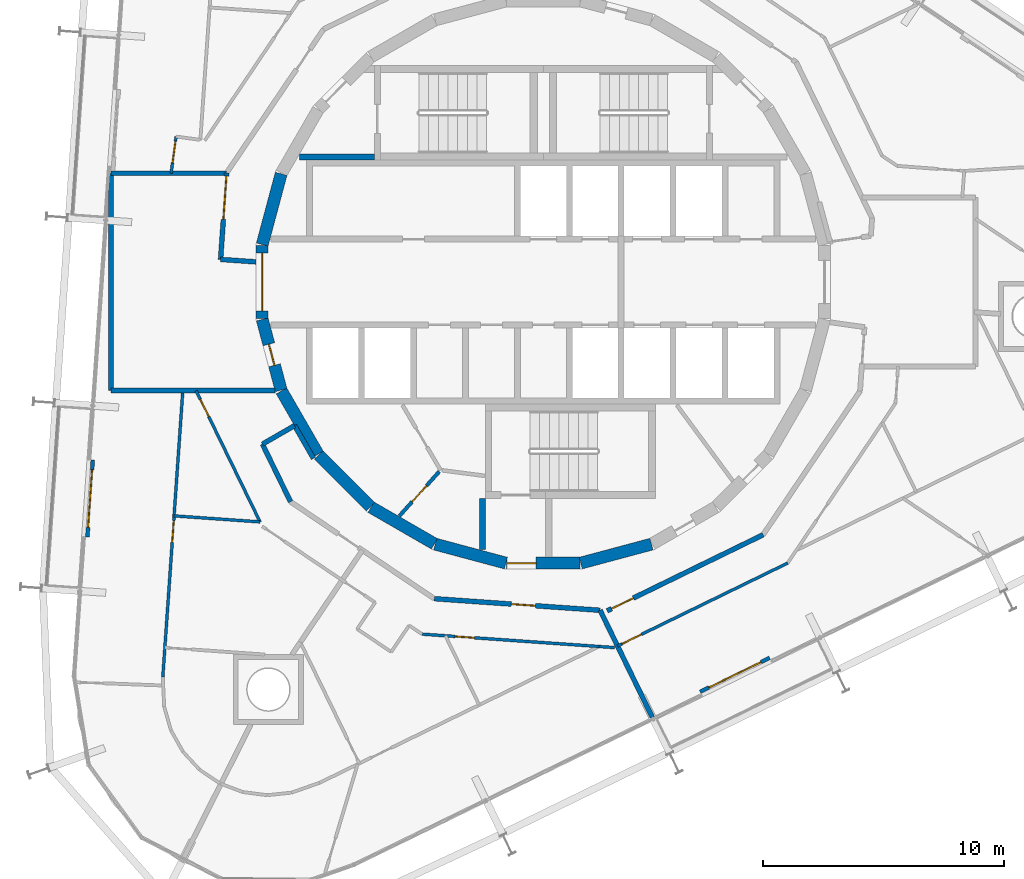
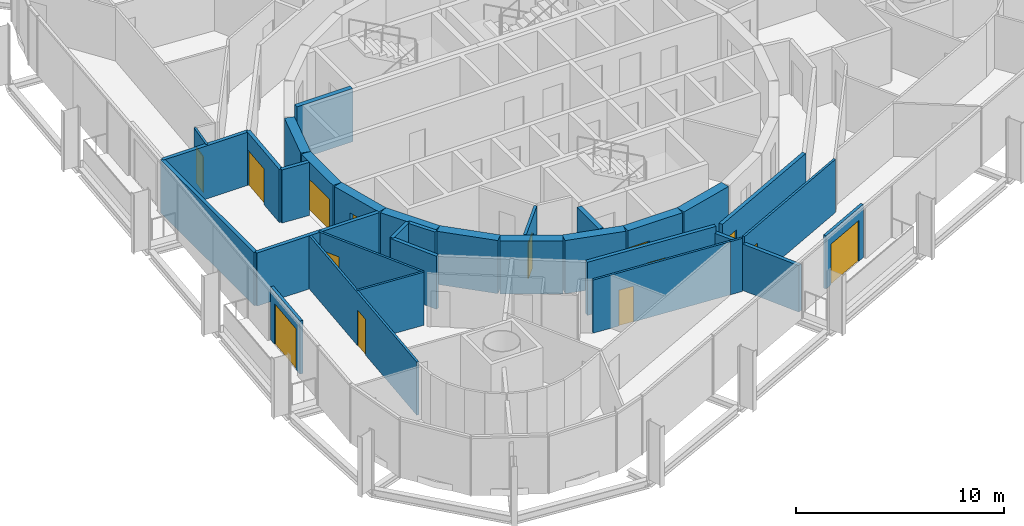
# One storey, part 12 of 18: 32 walls, 14 doors, 14 openings.
"""IFC4 building model written with IfcOpenShell, lengths in metres."""

import ifcopenshell
import ifcopenshell.guid

model = None  # the IFC model being written
_history = None  # IfcOwnerHistory: only IFC2X3 demands one
_inside = {}  # id of a spatial element -> (the spatial element, [elements in it])
_under = {}  # id of a project, library or spatial element -> (it, [spatial elements below it])
_declared = {}  # id of a project -> (the project, [libraries it declares])
_typed = {}  # id of a type object -> (the type object, [elements of that type])
_made_of = {}  # id of a material, layer set ... -> (it, [elements and type objects made of it])


def new_model(schema):
    """Start an empty IFC model of exactly this schema.

    Asked for "IFC4X3", IfcOpenShell would pick the latest addendum, in which some entities
    have other attributes; the version numbers below select the first issue.
    IFC2X3 requires an IfcOwnerHistory on every rooted entity: one is made here for all.
    """
    global model, _history
    if schema == "IFC4X3":
        model = ifcopenshell.file(schema_version=(4, 3, 0, 0))
    else:
        model = ifcopenshell.file(schema=schema)
    _inside.clear()
    _under.clear()
    _declared.clear()
    _typed.clear()
    _made_of.clear()
    _history = None
    if model.schema == "IFC2X3":
        org = make("IfcOrganization", Name="unknown")
        user = make(
            "IfcPersonAndOrganization",
            ThePerson=make("IfcPerson", FamilyName="unknown"),
            TheOrganization=org,
        )
        app = make(
            "IfcApplication",
            ApplicationDeveloper=org,
            Version="unknown",
            ApplicationFullName="unknown",
            ApplicationIdentifier="unknown",
        )
        _history = make(
            "IfcOwnerHistory",
            OwningUser=user,
            OwningApplication=app,
            ChangeAction="ADDED",
            CreationDate=0,
        )
    return model


def make(cls, **values):
    """One entity of the class cls with the attributes given. An attribute that is None is left unset."""
    return model.create_entity(
        cls, **{name: value for name, value in values.items() if value is not None}
    )


def rooted(cls, **values):
    """An entity with a GlobalId (a new one), such as an element, a storey or a relation."""
    return make(cls, GlobalId=ifcopenshell.guid.new(), OwnerHistory=_history, **values)


def si_unit(unit_type, name, prefix=None):
    """IfcSIUnit, for example si_unit("LENGTHUNIT", "METRE", prefix="MILLI")."""
    return make("IfcSIUnit", UnitType=unit_type, Prefix=prefix, Name=name)


def assignment(units):
    """IfcUnitAssignment: the units of a project."""
    return None if units is None else make("IfcUnitAssignment", Units=units)


def point(xyz):
    """IfcCartesianPoint."""
    return None if xyz is None else make("IfcCartesianPoint", Coordinates=xyz)


def direction(xyz):
    """IfcDirection."""
    return None if xyz is None else make("IfcDirection", DirectionRatios=xyz)


def frame(location, z_axis=None, x_axis=None):
    """IfcAxis2Placement3D, a coordinate frame: its origin and axes. An axis left out is left unset."""
    return make(
        "IfcAxis2Placement3D",
        Location=point(location),
        Axis=direction(z_axis),
        RefDirection=direction(x_axis),
    )


def frame_2d(location, x_axis=None):
    """IfcAxis2Placement2D, a coordinate frame in the plane: its origin and x axis."""
    return make(
        "IfcAxis2Placement2D", Location=point(location), RefDirection=direction(x_axis)
    )


def origin():
    """The frame at (0, 0, 0) with its axes left unset."""
    return frame((0.0, 0.0, 0.0))


def place(relative_to, where):
    """IfcLocalPlacement: puts the frame where relative to a parent placement (None: the world)."""
    return make(
        "IfcLocalPlacement", PlacementRelTo=relative_to, RelativePlacement=where
    )


def context(
    kind, dimensions, precision=None, world=None, true_north=None, identifier=None
):
    """IfcGeometricRepresentationContext, for example the 3D "Model" context."""
    return make(
        "IfcGeometricRepresentationContext",
        ContextIdentifier=identifier,
        ContextType=kind,
        CoordinateSpaceDimension=dimensions,
        Precision=precision,
        WorldCoordinateSystem=world,
        TrueNorth=true_north,
    )


def subcontext(parent, identifier, kind, view, scale=None):
    """IfcGeometricRepresentationSubContext, for example "Body" below "Model"."""
    return make(
        "IfcGeometricRepresentationSubContext",
        ContextIdentifier=identifier,
        ContextType=kind,
        ParentContext=parent,
        TargetScale=scale,
        TargetView=view,
    )


def project(units=None, contexts=None):
    """IfcProject with its units and contexts."""
    return rooted(
        "IfcProject",
        Name="project",
        RepresentationContexts=contexts,
        UnitsInContext=assignment(units),
    )


def spatial(cls, under=None, at=None, **own):
    """A site, building, storey or space (cls), placed at a placement, below another one or the project."""
    s = rooted(cls, ObjectPlacement=at, **own)
    if under is not None:
        _under.setdefault(under.id(), (under, []))[1].append(s)
    return s


def profile(cls, at=None, kind="AREA", **sizes):
    """A parametric profile (cls). Its sizes go by their IFC names, for example OverallWidth=200.0."""
    return make(cls, ProfileType=kind, Position=at, **sizes)


def rectangle(**sizes):
    """IfcRectangleProfileDef."""
    return profile("IfcRectangleProfileDef", **sizes)


def extrude(swept, where, along, depth):
    """IfcExtrudedAreaSolid: the profile swept, set in the frame where, extruded along a direction by depth."""
    return make(
        "IfcExtrudedAreaSolid",
        SweptArea=swept,
        Position=where,
        ExtrudedDirection=direction(along),
        Depth=depth,
    )


def shape(context_of_items, identifier, shape_type, items):
    """IfcShapeRepresentation: the items that make up one representation, for example the "Body"."""
    return make(
        "IfcShapeRepresentation",
        ContextOfItems=context_of_items,
        RepresentationIdentifier=identifier,
        RepresentationType=shape_type,
        Items=items,
    )


def material(Name=None, Category=None):
    """IfcMaterial."""
    return make("IfcMaterial", Name=Name, Category=Category)


def layer(
    of_material, thickness, ventilated=None, Name=None, Category=None, Priority=None
):
    """IfcMaterialLayer: one layer of a wall or slab, of a material (None: an air gap)."""
    return make(
        "IfcMaterialLayer",
        Material=of_material,
        LayerThickness=thickness,
        IsVentilated=ventilated,
        Name=Name,
        Category=Category,
        Priority=Priority,
    )


def layer_set(layers, Name=None):
    """IfcMaterialLayerSet."""
    return make("IfcMaterialLayerSet", MaterialLayers=layers, LayerSetName=Name)


def made_of(thing, what):
    """Note that an element or type object is made of a material, layer set ...; save() writes the relation."""
    if what is not None:
        _made_of.setdefault(what.id(), (what, []))[1].append(thing)
    return thing


def type_object(cls, material=None, **own):
    """A type object (cls), such as IfcWallType, which elements share."""
    return made_of(rooted(cls, **own), material)


def element(
    cls,
    number,
    at=None,
    inside=None,
    cuts=None,
    type_object=None,
    material=None,
    context=None,
    identifier="Body",
    shape_type=None,
    held_by="IfcProductDefinitionShape",
    body=None,
    shapes=None,
    **own,
):
    """One element of the class cls, such as IfcWall. Its Tag is "e" and its number.

    at: its placement. inside: the storey or other place that contains it. cuts: it is an
    opening in that element (IfcRelVoidsElement). A single representation is given by context,
    identifier, shape_type and body (its items); several are given by shapes. held_by: the class
    of the entity that holds the representations. save() writes the other relations.
    """
    e = rooted(cls, Tag="e%d" % number, ObjectPlacement=at, **own)
    if body is not None:
        shapes = [shape(context, identifier, shape_type, body)]
    if shapes is not None:
        e.Representation = make(held_by, Representations=shapes)
    if inside is not None:
        _inside.setdefault(inside.id(), (inside, []))[1].append(e)
    if cuts is not None:
        rooted(
            "IfcRelVoidsElement", RelatingBuildingElement=cuts, RelatedOpeningElement=e
        )
    if type_object is not None:
        _typed.setdefault(type_object.id(), (type_object, []))[1].append(e)
    return made_of(e, material)


def fill(opening, filler):
    """IfcRelFillsElement: the door or window that sits in an opening."""
    return rooted(
        "IfcRelFillsElement",
        RelatingOpeningElement=opening,
        RelatedBuildingElement=filler,
    )


def aggregate(whole, parts):
    """IfcRelAggregates: a whole, such as a stair, and the parts it consists of."""
    return rooted("IfcRelAggregates", RelatingObject=whole, RelatedObjects=parts)


def save(model, path):
    """Write the relations noted so far, then the file.

    IfcRelAggregates (storeys below a building ...), IfcRelContainedInSpatialStructure (elements
    in a storey), IfcRelDefinesByType, IfcRelAssociatesMaterial and IfcRelDeclares: one each for
    every whole, place, type object, material and project.
    """
    for whole, parts in _under.values():
        aggregate(whole, parts)
    for where, things in _inside.values():
        rooted(
            "IfcRelContainedInSpatialStructure",
            RelatedElements=things,
            RelatingStructure=where,
        )
    for kind, things in _typed.values():
        rooted("IfcRelDefinesByType", RelatedObjects=things, RelatingType=kind)
    for what, things in _made_of.values():
        rooted("IfcRelAssociatesMaterial", RelatedObjects=things, RelatingMaterial=what)
    for by, libraries in _declared.values():
        rooted("IfcRelDeclares", RelatingContext=by, RelatedDefinitions=libraries)
    model.write(path)


model = new_model("IFC4")

# Units and contexts
model_context = context("Model", 3, precision=1e-05, world=origin(), true_north=direction((0.0, 1.0)))
body_context = subcontext(model_context, "Body", "Model", "MODEL_VIEW")
ifc_project = project(units=[si_unit("LENGTHUNIT", "METRE"), si_unit("AREAUNIT", "SQUARE_METRE"), si_unit("VOLUMEUNIT", "CUBIC_METRE"), si_unit("PLANEANGLEUNIT", "RADIAN"), si_unit("MASSUNIT", "GRAM", prefix="KILO")], contexts=[model_context])

# Site, building, storey
site_placement = place(None, origin())
site = spatial("IfcSite", under=ifc_project, at=site_placement, CompositionType="ELEMENT")
building_placement = place(site_placement, origin())
building = spatial("IfcBuilding", under=site, at=building_placement, Name="Spindle Arch Residences", CompositionType="ELEMENT")
storey_placement = place(building_placement, frame((0.0, 0.0, 205.89990234375)))
storey = spatial("IfcBuildingStorey", under=building, at=storey_placement, Name="L52", CompositionType="ELEMENT", Elevation=205.89990234375)

# Walls
ifc_material_1 = material(Name="Concrete C50/60", Category="concrete")
ifc_layer_1 = layer(ifc_material_1, 0.5)
ifc_layer_set_1 = layer_set([ifc_layer_1], Name="Core outline wall 500")
wall_type_1 = type_object("IfcWallType", Name="Core outline wall 500", PredefinedType="SHEAR", material=ifc_layer_set_1)
for number, where, z_axis, x_axis, name in (
    (1, (1.5498046875, -11.642822265625, 0.0), (0.0, 0.0, 1.0), (0.965948410781, 0.258734743916, 0.0), "Core outline wall 1"),
    (2, (-10.858154296875, 4.479248046875, 0.0), (0.0, 0.0, 1.0), (-0.258734743916, -0.965948410781, 0.0), "Core outline wall 17"),
):
    element("IfcWall", number, at=place(storey_placement, frame(where, z_axis=z_axis, x_axis=x_axis)), inside=storey, type_object=wall_type_1, Name=name, PredefinedType="SHEAR", context=body_context, shape_type="SweptSolid", body=[
        extrude(rectangle(XDim=3.03271484375, YDim=0.5, at=frame_2d((1.516357421875, 0.0))), origin(), (0.0, 0.0, 1.0), 3.1201171875),
    ])

# Wall, opening, door
wall_1_placement = place(storey_placement, frame((-11.647216796875, 1.516357421875, 0.0), z_axis=(0.0, 0.0, 1.0), x_axis=(0.0, -1.0, 0.0)))
wall_1 = element("IfcWall", 3, at=wall_1_placement, inside=storey, type_object=wall_type_1, Name="Core outline wall 18", PredefinedType="SHEAR", context=body_context, shape_type="SweptSolid", body=[
    extrude(rectangle(XDim=3.03271484375, YDim=0.5, at=frame_2d((1.516357421875, 0.0))), origin(), (0.0, 0.0, 1.0), 3.1201171875),
])
opening_1_placement = place(wall_1_placement, frame((0.31640625, 0.0, 0.0)))
opening_1 = element("IfcOpeningElement", 4, at=opening_1_placement, cuts=wall_1, Name="Opening R5B1-LE01", PredefinedType="OPENING", context=body_context, shape_type="SweptSolid", body=[
    extrude(rectangle(XDim=2.39990234375, YDim=2.10009765625, at=frame_2d((1.199951171875, 1.050048828125))), frame((0.0, 0.260009765625, 0.0), z_axis=(0.0, -1.0, 0.0), x_axis=(1.0, 0.0, 0.0)), (0.0, 0.0, 1.0), 0.52001953125),
])
ifc_material_2 = material(Name="Steel, fire-resisting door", Category="steel")
door_type_1 = type_object("IfcDoorType", Name="Lift lobby entrance door 2400x2100", OperationType="DOUBLE_DOOR_SINGLE_SWING", PredefinedType="DOOR", material=ifc_material_2)
door_1_placement = place(opening_1_placement, origin())
door_1 = element("IfcDoor", 5, at=door_1_placement, inside=storey, type_object=door_type_1, Name="Lift lobby entrance door R5B1-LE01", OperationType="DOUBLE_DOOR_SINGLE_SWING", OverallHeight=2.10009765625, OverallWidth=2.39990234375, PredefinedType="DOOR", context=body_context, shape_type="SweptSolid", body=[
    extrude(rectangle(XDim=2.39990234375, YDim=2.10009765625, at=frame_2d((1.199951171875, 1.050048828125))), frame((0.0, 0.02490234375, 0.0), z_axis=(0.0, -1.0, 0.0), x_axis=(1.0, 0.0, 0.0)), (0.0, 0.0, 1.0), 0.050048828125),
])
fill(opening_1, door_1)

wall_2_placement = place(storey_placement, frame((-11.642822265625, -1.5498046875, 0.0), z_axis=(0.0, 0.0, 1.0), x_axis=(0.258734743916, -0.965948410781, 0.0)))
wall_2 = element("IfcWall", 6, at=wall_2_placement, inside=storey, type_object=wall_type_1, Name="Core outline wall 19", PredefinedType="SHEAR", context=body_context, shape_type="SweptSolid", body=[
    extrude(rectangle(XDim=3.03271484375, YDim=0.5, at=frame_2d((1.516357421875, 0.0))), origin(), (0.0, 0.0, 1.0), 3.1201171875),
])
opening_2_placement = place(wall_2_placement, frame((1.06640625, 0.0, 0.0)))
opening_2 = element("IfcOpeningElement", 7, at=opening_2_placement, cuts=wall_2, Name="Opening R5B1-WD10", PredefinedType="OPENING", context=body_context, shape_type="SweptSolid", body=[
    extrude(rectangle(XDim=0.89990234375, YDim=2.10009765625, at=frame_2d((0.449951171875, 1.050048828125))), frame((0.0, 0.260009765625, 0.0), z_axis=(0.0, -1.0, 0.0), x_axis=(1.0, 0.0, 0.0)), (0.0, 0.0, 1.0), 0.52001953125),
])
ifc_material_3 = material(Name="Steel, fire-resisting door", Category="steel")
door_type_2 = type_object("IfcDoorType", Name="Service room door 900x2100", OperationType="SINGLE_SWING_LEFT", PredefinedType="DOOR", material=ifc_material_3)
door_2_placement = place(opening_2_placement, origin())
door_2 = element("IfcDoor", 8, at=door_2_placement, inside=storey, type_object=door_type_2, Name="Service room door R5B1-WD10", OperationType="SINGLE_SWING_RIGHT", OverallHeight=2.10009765625, OverallWidth=0.89990234375, PredefinedType="DOOR", context=body_context, shape_type="SweptSolid", body=[
    extrude(rectangle(XDim=0.89990234375, YDim=2.10009765625, at=frame_2d((0.449951171875, 1.050048828125))), frame((0.0, 0.02490234375, 0.0), z_axis=(0.0, -1.0, 0.0), x_axis=(1.0, 0.0, 0.0)), (0.0, 0.0, 1.0), 0.050048828125),
])
fill(opening_2, door_2)

# Walls
wall_3_placement = place(storey_placement, frame((-10.84521484375, -4.510498046875, 0.0), z_axis=(0.0, 0.0, 1.0), x_axis=(0.500087131594, -0.865975092491, 0.0)))
element("IfcWall", 9, at=wall_3_placement, inside=storey, type_object=wall_type_1, Name="Core outline wall 20", PredefinedType="SHEAR", context=body_context, shape_type="SweptSolid", body=[
    extrude(rectangle(XDim=3.03271484375, YDim=0.5, at=frame_2d((1.516357421875, 0.0))), origin(), (0.0, 0.0, 1.0), 3.1201171875),
])
wall_4_placement = place(storey_placement, frame((-9.30810546875, -7.163818359375, 0.0), z_axis=(0.0, 0.0, 1.0), x_axis=(0.707106781187, -0.707106781187, 0.0)))
element("IfcWall", 10, at=wall_4_placement, inside=storey, type_object=wall_type_1, Name="Core outline wall 21", PredefinedType="SHEAR", context=body_context, shape_type="SweptSolid", body=[
    extrude(rectangle(XDim=3.032470703125, YDim=0.5, at=frame_2d((1.51611328125, 0.0))), origin(), (0.0, 0.0, 1.0), 3.1201171875),
])
for number, where, z_axis, x_axis, name in (
    (11, (-7.13671875, -9.32861328125, 0.0), (0.0, 0.0, 1.0), (0.865975092491, -0.500087131594, 0.0), "Core outline wall 22"),
    (12, (-4.479248046875, -10.858154296875, 0.0), (0.0, 0.0, 1.0), (0.965948410781, -0.258734743916, 0.0), "Core outline wall 23"),
):
    element("IfcWall", number, at=place(storey_placement, frame(where, z_axis=z_axis, x_axis=x_axis)), inside=storey, type_object=wall_type_1, Name=name, PredefinedType="SHEAR", context=body_context, shape_type="SweptSolid", body=[
        extrude(rectangle(XDim=3.03271484375, YDim=0.5, at=frame_2d((1.516357421875, 0.0))), origin(), (0.0, 0.0, 1.0), 3.1201171875),
    ])

# Wall, opening, door
wall_5_placement = place(storey_placement, frame((-1.516357421875, -11.647216796875, 0.0), z_axis=(0.0, 0.0, 1.0), x_axis=(1.0, 0.0, 0.0)))
wall_5 = element("IfcWall", 13, at=wall_5_placement, inside=storey, type_object=wall_type_1, Name="Core outline wall 24", PredefinedType="SHEAR", context=body_context, shape_type="SweptSolid", body=[
    extrude(rectangle(XDim=3.03271484375, YDim=0.5, at=frame_2d((1.516357421875, 0.0))), origin(), (0.0, 0.0, 1.0), 3.1201171875),
])
opening_3_placement = place(wall_5_placement, frame((0.016357421875, 0.0, 0.0)))
opening_3 = element("IfcOpeningElement", 14, at=opening_3_placement, cuts=wall_5, Name="Opening R5B1-AD03", PredefinedType="OPENING", context=body_context, shape_type="SweptSolid", body=[
    extrude(rectangle(XDim=1.199951171875, YDim=2.10009765625, at=frame_2d((0.60009765625, 1.050048828125))), frame((0.0, 0.260009765625, 0.0), z_axis=(0.0, -1.0, 0.0), x_axis=(1.0, 0.0, 0.0)), (0.0, 0.0, 1.0), 0.52001953125),
])
ifc_material_4 = material(Name="Steel, fire-resisting door", Category="steel")
door_type_3 = type_object("IfcDoorType", Name="Stair airlock door 1200x2100", OperationType="SINGLE_SWING_LEFT", PredefinedType="DOOR", material=ifc_material_4)
door_3_placement = place(opening_3_placement, origin())
door_3 = element("IfcDoor", 15, at=door_3_placement, inside=storey, type_object=door_type_3, Name="Stair airlock door R5B1-AD03", OperationType="SINGLE_SWING_RIGHT", OverallHeight=2.10009765625, OverallWidth=1.199951171875, PredefinedType="DOOR", context=body_context, shape_type="SweptSolid", body=[
    extrude(rectangle(XDim=1.199951171875, YDim=2.10009765625, at=frame_2d((0.60009765625, 1.050048828125))), frame((0.0, 0.02490234375, 0.0), z_axis=(0.0, -1.0, 0.0), x_axis=(1.0, 0.0, 0.0)), (0.0, 0.0, 1.0), 0.050048828125),
])
fill(opening_3, door_3)

# Walls
ifc_material_5 = material(Name="Calcium silicate block, plastered")
ifc_layer_2 = layer(ifc_material_5, 0.199951171875)
ifc_layer_set_2 = layer_set([ifc_layer_2], Name="Corridor wall 200")
wall_type_2 = type_object("IfcWallType", Name="Corridor wall 200", PredefinedType="STANDARD", material=ifc_layer_set_2)
wall_6_placement = place(storey_placement, frame((-10.303466796875, -5.94873046875, 0.0), z_axis=(0.0, 0.0, 1.0), x_axis=(-0.866042588199, -0.499970234539, 0.0)))
element("IfcWall", 16, at=wall_6_placement, inside=storey, type_object=wall_type_2, Name="Corridor wall R5B1-W015", PredefinedType="STANDARD", context=body_context, shape_type="SweptSolid", body=[
    extrude(rectangle(XDim=1.53515625, YDim=0.199951171875, at=frame_2d((0.767578125, 0.0))), origin(), (0.0, 0.0, 1.0), 3.1201171875),
])
wall_7_placement = place(storey_placement, frame((-11.633056640625, -6.71630859375, 0.0), z_axis=(0.0, 0.0, 1.0), x_axis=(0.438322116278, -0.898817958422, 0.0)))
element("IfcWall", 17, at=wall_7_placement, inside=storey, type_object=wall_type_2, Name="Corridor wall R5B1-W016", PredefinedType="STANDARD", context=body_context, shape_type="SweptSolid", body=[
    extrude(rectangle(XDim=2.653564453125, YDim=0.199951171875, at=frame_2d((1.32666015625, 0.0))), origin(), (0.0, 0.0, 1.0), 3.1201171875),
])
wall_8_placement = place(storey_placement, frame((-9.520263671875, -7.30517578125, 0.0), z_axis=(0.0, 0.0, 1.0), x_axis=(-0.500028278809, 0.866009076391, 0.0)))
element("IfcWall", 18, at=wall_8_placement, inside=storey, type_object=wall_type_2, Name="Corridor wall R5B1-W018", PredefinedType="STANDARD", context=body_context, shape_type="SweptSolid", body=[
    extrude(rectangle(XDim=1.56640625, YDim=0.199951171875, at=frame_2d((0.783203125, 0.0))), origin(), (0.0, 0.0, 1.0), 3.1201171875),
])

# Wall, opening, door
wall_9_placement = place(storey_placement, frame((-4.5166015625, -13.116943359375, 0.0), z_axis=(0.0, 0.0, 1.0), x_axis=(0.997564669554, -0.069747616856, 0.0)))
wall_9 = element("IfcWall", 19, at=wall_9_placement, inside=storey, type_object=wall_type_2, Name="Corridor wall R5B1-W019", PredefinedType="STANDARD", context=body_context, shape_type="SweptSolid", body=[
    extrude(rectangle(XDim=6.88525390625, YDim=0.199951171875, at=frame_2d((3.442626953125, 0.0))), origin(), (0.0, 0.0, 1.0), 3.1201171875),
])
opening_4_placement = place(wall_9_placement, frame((3.199951171875, 0.0, 0.0)))
opening_4 = element("IfcOpeningElement", 20, at=opening_4_placement, cuts=wall_9, Name="Opening R5B1-FD05", PredefinedType="OPENING", context=body_context, shape_type="SweptSolid", body=[
    extrude(rectangle(XDim=1.0, YDim=2.10009765625, at=frame_2d((0.5, 1.050048828125))), frame((0.0, 0.10986328125, 0.0), z_axis=(0.0, -1.0, 0.0), x_axis=(1.0, 0.0, 0.0)), (0.0, 0.0, 1.0), 0.219970703125),
])
ifc_material_6 = material(Name="Timber, fire-resisting door set", Category="wood")
door_type_4 = type_object("IfcDoorType", Name="Flat entrance door 1000x2100", OperationType="NOTDEFINED", PredefinedType="DOOR", material=ifc_material_6)
door_4_placement = place(opening_4_placement, origin())
door_4 = element("IfcDoor", 21, at=door_4_placement, inside=storey, type_object=door_type_4, Name="Flat entrance door R5B1-FD05", OperationType="SINGLE_SWING_LEFT", OverallHeight=2.10009765625, OverallWidth=1.0, PredefinedType="DOOR", context=body_context, shape_type="SweptSolid", body=[
    extrude(rectangle(XDim=1.0, YDim=2.10009765625, at=frame_2d((0.5, 1.050048828125))), frame((0.0, 0.02490234375, 0.0), z_axis=(0.0, -1.0, 0.0), x_axis=(1.0, 0.0, 0.0)), (0.0, 0.0, 1.0), 0.050048828125),
])
fill(opening_4, door_4)

wall_10_placement = place(storey_placement, frame((2.64697265625, -13.617919921875, 0.0), z_axis=(0.0, 0.0, 1.0), x_axis=(0.898796543751, 0.438366026218, 0.0)))
wall_10 = element("IfcWall", 22, at=wall_10_placement, inside=storey, type_object=wall_type_2, Name="Corridor wall R5B1-W020", PredefinedType="STANDARD", context=body_context, shape_type="SweptSolid", body=[
    extrude(rectangle(XDim=7.18115234375, YDim=0.199951171875, at=frame_2d((3.590576171875, 0.0))), origin(), (0.0, 0.0, 1.0), 3.1201171875),
])
opening_5_placement = place(wall_10_placement, frame((0.199951171875, 0.0, 0.0)))
opening_5 = element("IfcOpeningElement", 23, at=opening_5_placement, cuts=wall_10, Name="Opening R5B1-FD06", PredefinedType="OPENING", context=body_context, shape_type="SweptSolid", body=[
    extrude(rectangle(XDim=1.0, YDim=2.10009765625, at=frame_2d((0.5, 1.050048828125))), frame((0.0, 0.10986328125, 0.0), z_axis=(0.0, -1.0, 0.0), x_axis=(1.0, 0.0, 0.0)), (0.0, 0.0, 1.0), 0.219970703125),
])
door_5_placement = place(opening_5_placement, origin())
door_5 = element("IfcDoor", 24, at=door_5_placement, inside=storey, type_object=door_type_4, Name="Flat entrance door R5B1-FD06", OperationType="SINGLE_SWING_LEFT", OverallHeight=2.10009765625, OverallWidth=1.0, PredefinedType="DOOR", context=body_context, shape_type="SweptSolid", body=[
    extrude(rectangle(XDim=1.0, YDim=2.10009765625, at=frame_2d((0.5, 1.050048828125))), frame((0.0, 0.02490234375, 0.0), z_axis=(0.0, -1.0, 0.0), x_axis=(1.0, 0.0, 0.0)), (0.0, 0.0, 1.0), 0.050048828125),
])
fill(opening_5, door_5)

ifc_material_7 = material(Name="Plasterboard on steel studs", Category="steel")
ifc_layer_3 = layer(ifc_material_7, 0.1201171875)
ifc_layer_set_3 = layer_set([ifc_layer_3], Name="Flat partition 120")
wall_type_3 = type_object("IfcWallType", Name="Flat partition 120", PredefinedType="PARTITIONING", material=ifc_layer_set_3)
wall_11_placement = place(storey_placement, frame((-15.20947265625, 6.022216796875, 0.0), z_axis=(0.0, 0.0, 1.0), x_axis=(-0.134453604943, -0.990919889859, 0.0)))
wall_11 = element("IfcWall", 25, at=wall_11_placement, inside=storey, type_object=wall_type_3, Name="Flat partition R5B1-W066", PredefinedType="PARTITIONING", context=body_context, shape_type="SweptSolid", body=[
    extrude(rectangle(XDim=1.5361328125, YDim=0.1201171875, at=frame_2d((0.76806640625, 0.0))), origin(), (0.0, 0.0, 1.0), 3.1201171875),
])
opening_6_placement = place(wall_11_placement, frame((0.199951171875, 0.0, 0.0)))
opening_6 = element("IfcOpeningElement", 26, at=opening_6_placement, cuts=wall_11, Name="Opening R5B1-ID11", PredefinedType="OPENING", context=body_context, shape_type="SweptSolid", body=[
    extrude(rectangle(XDim=0.89990234375, YDim=2.10009765625, at=frame_2d((0.449951171875, 1.050048828125))), frame((0.0, 0.070068359375, 0.0), z_axis=(0.0, -1.0, 0.0), x_axis=(1.0, 0.0, 0.0)), (0.0, 0.0, 1.0), 0.14013671875),
])
ifc_material_8 = material(Name="Timber door set", Category="wood")
door_type_5 = type_object("IfcDoorType", Name="Room door 900x2100", OperationType="NOTDEFINED", PredefinedType="DOOR", material=ifc_material_8)
door_6_placement = place(opening_6_placement, origin())
door_6 = element("IfcDoor", 27, at=door_6_placement, inside=storey, type_object=door_type_5, Name="Room door R5B1-ID11", OperationType="SINGLE_SWING_LEFT", OverallHeight=2.10009765625, OverallWidth=0.89990234375, PredefinedType="DOOR", context=body_context, shape_type="SweptSolid", body=[
    extrude(rectangle(XDim=0.89990234375, YDim=2.10009765625, at=frame_2d((0.449951171875, 1.050048828125))), frame((0.0, 0.02490234375, 0.0), z_axis=(0.0, -1.0, 0.0), x_axis=(1.0, 0.0, 0.0)), (0.0, 0.0, 1.0), 0.050048828125),
])
fill(opening_6, door_6)

wall_12_placement = place(storey_placement, frame((-14.383056640625, -4.5, 0.0), z_axis=(0.0, 0.0, 1.0), x_axis=(0.438393414895, -0.898783185077, 0.0)))
wall_12 = element("IfcWall", 28, at=wall_12_placement, inside=storey, type_object=wall_type_3, Name="Flat partition R5B1-W076", PredefinedType="PARTITIONING", context=body_context, shape_type="SweptSolid", body=[
    extrude(rectangle(XDim=6.049072265625, YDim=0.1201171875, at=frame_2d((3.0244140625, 0.0))), origin(), (0.0, 0.0, 1.0), 3.1201171875),
])
opening_7_placement = place(wall_12_placement, frame((0.39990234375, 0.0, 0.0)))
opening_7 = element("IfcOpeningElement", 29, at=opening_7_placement, cuts=wall_12, Name="Opening R5B1-BD04", PredefinedType="OPENING", context=body_context, shape_type="SweptSolid", body=[
    extrude(rectangle(XDim=0.800048828125, YDim=2.10009765625, at=frame_2d((0.39990234375, 1.050048828125))), frame((0.0, 0.070068359375, 0.0), z_axis=(0.0, -1.0, 0.0), x_axis=(1.0, 0.0, 0.0)), (0.0, 0.0, 1.0), 0.14013671875),
])
ifc_material_9 = material(Name="Timber door set", Category="wood")
door_type_6 = type_object("IfcDoorType", Name="Bathroom door 800x2100", OperationType="NOTDEFINED", PredefinedType="DOOR", material=ifc_material_9)
door_7_placement = place(opening_7_placement, origin())
door_7 = element("IfcDoor", 30, at=door_7_placement, inside=storey, type_object=door_type_6, Name="Bathroom door R5B1-BD04", OperationType="SINGLE_SWING_RIGHT", OverallHeight=2.10009765625, OverallWidth=0.800048828125, PredefinedType="DOOR", context=body_context, shape_type="SweptSolid", body=[
    extrude(rectangle(XDim=0.800048828125, YDim=2.10009765625, at=frame_2d((0.39990234375, 1.050048828125))), frame((0.0, 0.02490234375, 0.0), z_axis=(0.0, -1.0, 0.0), x_axis=(1.0, 0.0, 0.0)), (0.0, 0.0, 1.0), 0.050048828125),
])
fill(opening_7, door_7)

wall_13_placement = place(storey_placement, frame((-14.930908203125, -4.5, 0.0), z_axis=(0.0, 0.0, 1.0), x_axis=(-0.069751708439, -0.997564383471, 0.0)))
wall_13 = element("IfcWall", 31, at=wall_13_placement, inside=storey, type_object=wall_type_3, Name="Flat partition R5B1-W078", PredefinedType="PARTITIONING", context=body_context, shape_type="SweptSolid", body=[
    extrude(rectangle(XDim=11.8935546875, YDim=0.1201171875, at=frame_2d((5.94677734375, 0.0))), origin(), (0.0, 0.0, 1.0), 3.1201171875),
])
opening_8_placement = place(wall_13_placement, frame((5.400390625, 0.0, 0.0)))
opening_8 = element("IfcOpeningElement", 32, at=opening_8_placement, cuts=wall_13, Name="Opening R5B1-ID15", PredefinedType="OPENING", context=body_context, shape_type="SweptSolid", body=[
    extrude(rectangle(XDim=0.89990234375, YDim=2.10009765625, at=frame_2d((0.449951171875, 1.050048828125))), frame((0.0, 0.070068359375, 0.0), z_axis=(0.0, -1.0, 0.0), x_axis=(1.0, 0.0, 0.0)), (0.0, 0.0, 1.0), 0.14013671875),
])
door_8_placement = place(opening_8_placement, origin())
door_8 = element("IfcDoor", 33, at=door_8_placement, inside=storey, type_object=door_type_5, Name="Room door R5B1-ID15", OperationType="SINGLE_SWING_RIGHT", OverallHeight=2.10009765625, OverallWidth=0.89990234375, PredefinedType="DOOR", context=body_context, shape_type="SweptSolid", body=[
    extrude(rectangle(XDim=0.89990234375, YDim=2.10009765625, at=frame_2d((0.449951171875, 1.050048828125))), frame((0.0, 0.02490234375, 0.0), z_axis=(0.0, -1.0, 0.0), x_axis=(1.0, 0.0, 0.0)), (0.0, 0.0, 1.0), 0.050048828125),
])
fill(opening_8, door_8)

# Wall
wall_14_placement = place(storey_placement, frame((-15.293701171875, -9.687744140625, 0.0), z_axis=(0.0, 0.0, 1.0), x_axis=(0.997565819809, -0.069731163391, 0.0)))
element("IfcWall", 34, at=wall_14_placement, inside=storey, type_object=wall_type_3, Name="Flat partition R5B1-W079", PredefinedType="PARTITIONING", context=body_context, shape_type="SweptSolid", body=[
    extrude(rectangle(XDim=3.5712890625, YDim=0.1201171875, at=frame_2d((1.78564453125, 0.0))), origin(), (0.0, 0.0, 1.0), 3.1201171875),
])

# Wall, opening, door
wall_15_placement = place(storey_placement, frame((-5.022216796875, -14.585205078125, 0.0), z_axis=(0.0, 0.0, 1.0), x_axis=(0.997564196041, -0.06975438895, 0.0)))
wall_15 = element("IfcWall", 35, at=wall_15_placement, inside=storey, type_object=wall_type_3, Name="Flat partition R5B1-W091", PredefinedType="PARTITIONING", context=body_context, shape_type="SweptSolid", body=[
    extrude(rectangle(XDim=7.346435546875, YDim=0.1201171875, at=frame_2d((3.67333984375, 0.0))), origin(), (0.0, 0.0, 1.0), 3.1201171875),
])
opening_9_placement = place(wall_15_placement, frame((1.370361328125, 0.0, 0.0)))
opening_9 = element("IfcOpeningElement", 36, at=opening_9_placement, cuts=wall_15, Name="Opening R5B1-BD05", PredefinedType="OPENING", context=body_context, shape_type="SweptSolid", body=[
    extrude(rectangle(XDim=0.800048828125, YDim=2.10009765625, at=frame_2d((0.39990234375, 1.050048828125))), frame((0.0, 0.070068359375, 0.0), z_axis=(0.0, -1.0, 0.0), x_axis=(1.0, 0.0, 0.0)), (0.0, 0.0, 1.0), 0.14013671875),
])
door_9_placement = place(opening_9_placement, origin())
door_9 = element("IfcDoor", 37, at=door_9_placement, inside=storey, type_object=door_type_6, Name="Bathroom door R5B1-BD05", OperationType="SINGLE_SWING_LEFT", OverallHeight=2.10009765625, OverallWidth=0.800048828125, PredefinedType="DOOR", context=body_context, shape_type="SweptSolid", body=[
    extrude(rectangle(XDim=0.800048828125, YDim=2.10009765625, at=frame_2d((0.39990234375, 1.050048828125))), frame((0.0, 0.02490234375, 0.0), z_axis=(0.0, -1.0, 0.0), x_axis=(1.0, 0.0, 0.0)), (0.0, 0.0, 1.0), 0.050048828125),
])
fill(opening_9, door_9)

# Wall
wall_16_placement = place(storey_placement, frame((2.306396484375, -15.09765625, 0.0), z_axis=(0.0, 0.0, 1.0), x_axis=(0.99757571817, -0.069589413839, 0.0)))
element("IfcWall", 38, at=wall_16_placement, inside=storey, type_object=wall_type_3, Name="Flat partition R5B1-W092", PredefinedType="PARTITIONING", context=body_context, shape_type="SweptSolid", body=[
    extrude(rectangle(XDim=0.638427734375, YDim=0.1201171875, at=frame_2d((0.3193359375, 0.0))), origin(), (0.0, 0.0, 1.0), 3.1201171875),
])

# Wall, opening, door
wall_17_placement = place(storey_placement, frame((3.07421875, -15.078369140625, 0.0), z_axis=(0.0, 0.0, 1.0), x_axis=(0.898793586225, 0.43837209008, 0.0)))
wall_17 = element("IfcWall", 39, at=wall_17_placement, inside=storey, type_object=wall_type_3, Name="Flat partition R5B1-W101", PredefinedType="PARTITIONING", context=body_context, shape_type="SweptSolid", body=[
    extrude(rectangle(XDim=7.83935546875, YDim=0.1201171875, at=frame_2d((3.919677734375, 0.0))), origin(), (0.0, 0.0, 1.0), 3.1201171875),
])
opening_10_placement = place(wall_17_placement, frame((0.199951171875, 0.0, 0.0)))
opening_10 = element("IfcOpeningElement", 40, at=opening_10_placement, cuts=wall_17, Name="Opening R5B1-ID22", PredefinedType="OPENING", context=body_context, shape_type="SweptSolid", body=[
    extrude(rectangle(XDim=0.89990234375, YDim=2.10009765625, at=frame_2d((0.449951171875, 1.050048828125))), frame((0.0, 0.070068359375, 0.0), z_axis=(0.0, -1.0, 0.0), x_axis=(1.0, 0.0, 0.0)), (0.0, 0.0, 1.0), 0.14013671875),
])
door_10_placement = place(opening_10_placement, origin())
door_10 = element("IfcDoor", 41, at=door_10_placement, inside=storey, type_object=door_type_5, Name="Room door R5B1-ID22", OperationType="SINGLE_SWING_LEFT", OverallHeight=2.10009765625, OverallWidth=0.89990234375, PredefinedType="DOOR", context=body_context, shape_type="SweptSolid", body=[
    extrude(rectangle(XDim=0.89990234375, YDim=2.10009765625, at=frame_2d((0.449951171875, 1.050048828125))), frame((0.0, 0.02490234375, 0.0), z_axis=(0.0, -1.0, 0.0), x_axis=(1.0, 0.0, 0.0)), (0.0, 0.0, 1.0), 0.050048828125),
])
fill(opening_10, door_10)

# Wall
ifc_material_10 = material(Name="Calcium silicate block, plastered")
ifc_layer_4 = layer(ifc_material_10, 0.199951171875)
ifc_layer_set_4 = layer_set([ifc_layer_4], Name="Flat party wall 200 under beam 2730")
wall_type_4 = type_object("IfcWallType", Name="Flat party wall 200 under beam 2730", PredefinedType="STANDARD", material=ifc_layer_set_4)
wall_18_placement = place(storey_placement, frame((4.512451171875, -18.027099609375, 0.0), z_axis=(0.0, 0.0, 1.0), x_axis=(-0.438374835386, 0.898792247241, 0.0)))
element("IfcWall", 42, at=wall_18_placement, inside=storey, type_object=wall_type_4, Name="Flat party wall R5B1-W037", PredefinedType="STANDARD", context=body_context, shape_type="SweptSolid", body=[
    extrude(rectangle(XDim=4.9287109375, YDim=0.199951171875, at=frame_2d((2.46435546875, 0.0))), origin(), (0.0, 0.0, 1.0), 2.72998046875),
])

# Wall, opening, door
ifc_material_11 = material(Name="Non-combustible mineral wool insulated aluminium faced external wall (K0)", Category="aluminium")
ifc_layer_5 = layer(ifc_material_11, 0.159912109375)
ifc_layer_set_5 = layer_set([ifc_layer_5], Name="Insulated external wall panel 160")
wall_type_5 = type_object("IfcWallType", Name="Insulated external wall panel 160", PredefinedType="STANDARD", material=ifc_layer_set_5)
wall_19_placement = place(storey_placement, frame((-18.66064453125, -7.37451171875, 0.0), z_axis=(0.0, 0.0, 1.0), x_axis=(-0.069734222855, -0.997565605944, 0.0)))
wall_19 = element("IfcWall", 43, at=wall_19_placement, inside=storey, type_object=wall_type_5, Name="External wall L52 bay 16", PredefinedType="STANDARD", context=body_context, shape_type="SweptSolid", body=[
    extrude(rectangle(XDim=3.199951171875, YDim=0.159912109375, at=frame_2d((1.60009765625, 0.0))), origin(), (0.0, 0.0, 1.0), 3.1201171875),
])
opening_11_placement = place(wall_19_placement, frame((0.39990234375, 0.0, 0.0)))
opening_11 = element("IfcOpeningElement", 44, at=opening_11_placement, cuts=wall_19, Name="Opening BD16", PredefinedType="OPENING", context=body_context, shape_type="SweptSolid", body=[
    extrude(rectangle(XDim=2.39990234375, YDim=2.39990234375, at=frame_2d((1.199951171875, 1.199951171875))), frame((0.0, 0.08984375, 0.0), z_axis=(0.0, -1.0, 0.0), x_axis=(1.0, 0.0, 0.0)), (0.0, 0.0, 1.0), 0.179931640625),
])
ifc_material_12 = material(Name="Bronze aluminium frame, tinted double glazing", Category="aluminium")
door_type_7 = type_object("IfcDoorType", Name="Sliding glazed balcony door 2400x2400", OperationType="DOUBLE_DOOR_SLIDING", PredefinedType="DOOR", material=ifc_material_12)
door_11_placement = place(opening_11_placement, origin())
door_11 = element("IfcDoor", 45, at=door_11_placement, inside=storey, type_object=door_type_7, Name="Balcony door BD16", OperationType="DOUBLE_DOOR_SLIDING", OverallHeight=2.39990234375, OverallWidth=2.39990234375, PredefinedType="DOOR", context=body_context, shape_type="SweptSolid", body=[
    extrude(rectangle(XDim=2.39990234375, YDim=2.39990234375, at=frame_2d((1.199951171875, 1.199951171875))), frame((0.0, 0.02490234375, 0.0), z_axis=(0.0, -1.0, 0.0), x_axis=(1.0, 0.0, 0.0)), (0.0, 0.0, 1.0), 0.050048828125),
])
fill(opening_11, door_11)

wall_20_placement = place(storey_placement, frame((6.496826171875, -16.97021484375, 0.0), z_axis=(0.0, 0.0, 1.0), x_axis=(0.898778711213, 0.43840258698, 0.0)))
wall_20 = element("IfcWall", 46, at=wall_20_placement, inside=storey, type_object=wall_type_5, Name="External wall L52 bay 22", PredefinedType="STANDARD", context=body_context, shape_type="SweptSolid", body=[
    extrude(rectangle(XDim=3.199951171875, YDim=0.159912109375, at=frame_2d((1.60009765625, 0.0))), origin(), (0.0, 0.0, 1.0), 3.1201171875),
])
opening_12_placement = place(wall_20_placement, frame((0.39990234375, 0.0, 0.0)))
opening_12 = element("IfcOpeningElement", 47, at=opening_12_placement, cuts=wall_20, Name="Opening BD22", PredefinedType="OPENING", context=body_context, shape_type="SweptSolid", body=[
    extrude(rectangle(XDim=2.39990234375, YDim=2.39990234375, at=frame_2d((1.199951171875, 1.199951171875))), frame((0.0, 0.08984375, 0.0), z_axis=(0.0, -1.0, 0.0), x_axis=(1.0, 0.0, 0.0)), (0.0, 0.0, 1.0), 0.179931640625),
])
door_12_placement = place(opening_12_placement, origin())
door_12 = element("IfcDoor", 48, at=door_12_placement, inside=storey, type_object=door_type_7, Name="Balcony door BD22", OperationType="DOUBLE_DOOR_SLIDING", OverallHeight=2.39990234375, OverallWidth=2.39990234375, PredefinedType="DOOR", context=body_context, shape_type="SweptSolid", body=[
    extrude(rectangle(XDim=2.39990234375, YDim=2.39990234375, at=frame_2d((1.199951171875, 1.199951171875))), frame((0.0, 0.02490234375, 0.0), z_axis=(0.0, -1.0, 0.0), x_axis=(1.0, 0.0, 0.0)), (0.0, 0.0, 1.0), 0.050048828125),
])
fill(opening_12, door_12)

ifc_material_13 = material(Name="Calcium silicate block, plastered")
ifc_layer_6 = layer(ifc_material_13, 0.199951171875)
ifc_layer_set_6 = layer_set([ifc_layer_6], Name="Lift lobby bay wall 200")
wall_type_6 = type_object("IfcWallType", Name="Lift lobby bay wall 200", PredefinedType="STANDARD", material=ifc_layer_set_6)
wall_21_placement = place(storey_placement, frame((-13.116943359375, 4.5166015625, 0.0), z_axis=(0.0, 0.0, 1.0), x_axis=(-0.069763493417, -0.997563559372, 0.0)))
wall_21 = element("IfcWall", 49, at=wall_21_placement, inside=storey, type_object=wall_type_6, Name="Lift lobby bay wall R5B1-W008", PredefinedType="STANDARD", context=body_context, shape_type="SweptSolid", body=[
    extrude(rectangle(XDim=3.590576171875, YDim=0.199951171875, at=frame_2d((1.79541015625, 0.0))), origin(), (0.0, 0.0, 1.0), 3.1201171875),
])
opening_13_placement = place(wall_21_placement, frame((0.131591796875, 0.0, 0.0)))
opening_13 = element("IfcOpeningElement", 50, at=opening_13_placement, cuts=wall_21, Name="Opening R5B1-LB01", PredefinedType="OPENING", context=body_context, shape_type="SweptSolid", body=[
    extrude(rectangle(XDim=1.800048828125, YDim=2.10009765625, at=frame_2d((0.89990234375, 1.050048828125))), frame((0.0, 0.10986328125, 0.0), z_axis=(0.0, -1.0, 0.0), x_axis=(1.0, 0.0, 0.0)), (0.0, 0.0, 1.0), 0.219970703125),
])
ifc_material_14 = material(Name="Steel, fire-resisting door", Category="steel")
door_type_8 = type_object("IfcDoorType", Name="Lift lobby bay door 1800x2100", OperationType="NOTDEFINED", PredefinedType="DOOR", material=ifc_material_14)
door_13_placement = place(opening_13_placement, origin())
door_13 = element("IfcDoor", 51, at=door_13_placement, inside=storey, type_object=door_type_8, Name="Lift lobby bay door R5B1-LB01", OperationType="DOUBLE_DOOR_SINGLE_SWING", OverallHeight=2.10009765625, OverallWidth=1.800048828125, PredefinedType="DOOR", context=body_context, shape_type="SweptSolid", body=[
    extrude(rectangle(XDim=1.800048828125, YDim=2.10009765625, at=frame_2d((0.89990234375, 1.050048828125))), frame((0.0, 0.02490234375, 0.0), z_axis=(0.0, -1.0, 0.0), x_axis=(1.0, 0.0, 0.0)), (0.0, 0.0, 1.0), 0.050048828125),
])
fill(opening_13, door_13)

# Walls
wall_22_placement = place(storey_placement, frame((-13.367431640625, 0.934814453125, 0.0), z_axis=(0.0, 0.0, 1.0), x_axis=(0.997553656289, -0.069904955655, 0.0)))
element("IfcWall", 52, at=wall_22_placement, inside=storey, type_object=wall_type_6, Name="Lift lobby bay wall R5B1-W009", PredefinedType="STANDARD", context=body_context, shape_type="SweptSolid", body=[
    extrude(rectangle(XDim=1.473876953125, YDim=0.199951171875, at=frame_2d((0.73681640625, 0.0))), origin(), (0.0, 0.0, 1.0), 3.1201171875),
])
wall_23_placement = place(storey_placement, frame((-13.1181640625, 4.5, 0.0), z_axis=(0.0, 0.0, 1.0), x_axis=(-1.0, 0.0, 0.0)))
element("IfcWall", 53, at=wall_23_placement, inside=storey, type_object=wall_type_6, Name="Lift lobby bay wall R5B1-W022", PredefinedType="STANDARD", context=body_context, shape_type="SweptSolid", body=[
    extrude(rectangle(XDim=4.78173828125, YDim=0.199951171875, at=frame_2d((2.390869140625, 0.0))), origin(), (0.0, 0.0, 1.0), 3.1201171875),
])
wall_24_placement = place(storey_placement, frame((-17.89990234375, 4.5, 0.0), z_axis=(0.0, 0.0, 1.0), x_axis=(0.0, -1.0, 0.0)))
element("IfcWall", 54, at=wall_24_placement, inside=storey, type_object=wall_type_6, Name="Lift lobby bay wall R5B1-W023", PredefinedType="STANDARD", context=body_context, shape_type="SweptSolid", body=[
    extrude(rectangle(XDim=9.0, YDim=0.199951171875, at=frame_2d((4.5, 0.0))), origin(), (0.0, 0.0, 1.0), 3.1201171875),
])
wall_25_placement = place(storey_placement, frame((-17.89990234375, -4.5, 0.0), z_axis=(0.0, 0.0, 1.0), x_axis=(1.0, 0.0, 0.0)))
element("IfcWall", 55, at=wall_25_placement, inside=storey, type_object=wall_type_6, Name="Lift lobby bay wall R5B1-W024", PredefinedType="STANDARD", context=body_context, shape_type="SweptSolid", body=[
    extrude(rectangle(XDim=6.78857421875, YDim=0.199951171875, at=frame_2d((3.394287109375, 0.0))), origin(), (0.0, 0.0, 1.0), 3.1201171875),
])

# Wall, opening, door
ifc_material_15 = material(Name="Concrete C25/30", Category="concrete")
ifc_layer_7 = layer(ifc_material_15, 0.14990234375)
ifc_layer_set_7 = layer_set([ifc_layer_7], Name="Service room partition 150")
wall_type_7 = type_object("IfcWallType", Name="Service room partition 150", PredefinedType="PARTITIONING", material=ifc_layer_set_7)
wall_26_placement = place(storey_placement, frame((-4.310791015625, -7.85107421875, 0.0), z_axis=(0.0, 0.0, 1.0), x_axis=(-0.667869133096, -0.744278725383, 0.0)))
wall_26 = element("IfcWall", 56, at=wall_26_placement, inside=storey, type_object=wall_type_7, Name="Core service room partition", PredefinedType="PARTITIONING", context=body_context, shape_type="SweptSolid", body=[
    extrude(rectangle(XDim=2.476318359375, YDim=0.14990234375, at=frame_2d((1.23828125, 0.0))), origin(), (0.0, 0.0, 1.0), 3.1201171875),
])
opening_14_placement = place(wall_26_placement, frame((0.7880859375, 0.0, 0.0)))
opening_14 = element("IfcOpeningElement", 57, at=opening_14_placement, cuts=wall_26, Name="Opening R5B1-WD06", PredefinedType="OPENING", context=body_context, shape_type="SweptSolid", body=[
    extrude(rectangle(XDim=0.89990234375, YDim=2.10009765625, at=frame_2d((0.449951171875, 1.050048828125))), frame((0.0, 0.0849609375, 0.0), z_axis=(0.0, -1.0, 0.0), x_axis=(1.0, 0.0, 0.0)), (0.0, 0.0, 1.0), 0.169921875),
])
door_14_placement = place(opening_14_placement, origin())
door_14 = element("IfcDoor", 58, at=door_14_placement, inside=storey, type_object=door_type_2, Name="Service room door R5B1-WD06", OperationType="SINGLE_SWING_RIGHT", OverallHeight=2.10009765625, OverallWidth=0.89990234375, PredefinedType="DOOR", context=body_context, shape_type="SweptSolid", body=[
    extrude(rectangle(XDim=0.89990234375, YDim=2.10009765625, at=frame_2d((0.449951171875, 1.050048828125))), frame((0.0, 0.02490234375, 0.0), z_axis=(0.0, -1.0, 0.0), x_axis=(1.0, 0.0, 0.0)), (0.0, 0.0, 1.0), 0.050048828125),
])
fill(opening_14, door_14)

# Walls
ifc_material_16 = material(Name="Concrete C40/50", Category="concrete")
ifc_layer_8 = layer(ifc_material_16, 0.25)
ifc_layer_set_8 = layer_set([ifc_layer_8], Name="Stair airlock wall 250")
wall_type_8 = type_object("IfcWallType", Name="Stair airlock wall 250", PredefinedType="SHEAR", material=ifc_layer_set_8)
wall_27_placement = place(storey_placement, frame((-7.0, 5.175048828125, 0.0), z_axis=(0.0, 0.0, 1.0), x_axis=(-1.0, 0.0, 0.0)))
element("IfcWall", 59, at=wall_27_placement, inside=storey, type_object=wall_type_8, Name="Stair ST-2 airlock wall S", PredefinedType="SHEAR", context=body_context, shape_type="SweptSolid", body=[
    extrude(rectangle(XDim=3.10009765625, YDim=0.25, at=frame_2d((1.550048828125, 0.0))), origin(), (0.0, 0.0, 1.0), 3.1201171875),
])
wall_28_placement = place(storey_placement, frame((-2.52490234375, -8.969970703125, 0.0), z_axis=(0.0, 0.0, 1.0), x_axis=(0.0, -1.0, 0.0)))
element("IfcWall", 60, at=wall_28_placement, inside=storey, type_object=wall_type_8, Name="Stair ST-3 airlock wall W", PredefinedType="SHEAR", context=body_context, shape_type="SweptSolid", body=[
    extrude(rectangle(XDim=2.110107421875, YDim=0.25, at=frame_2d((1.05517578125, 0.0))), origin(), (0.0, 0.0, 1.0), 3.1201171875),
])

save(model, "model.ifc")
